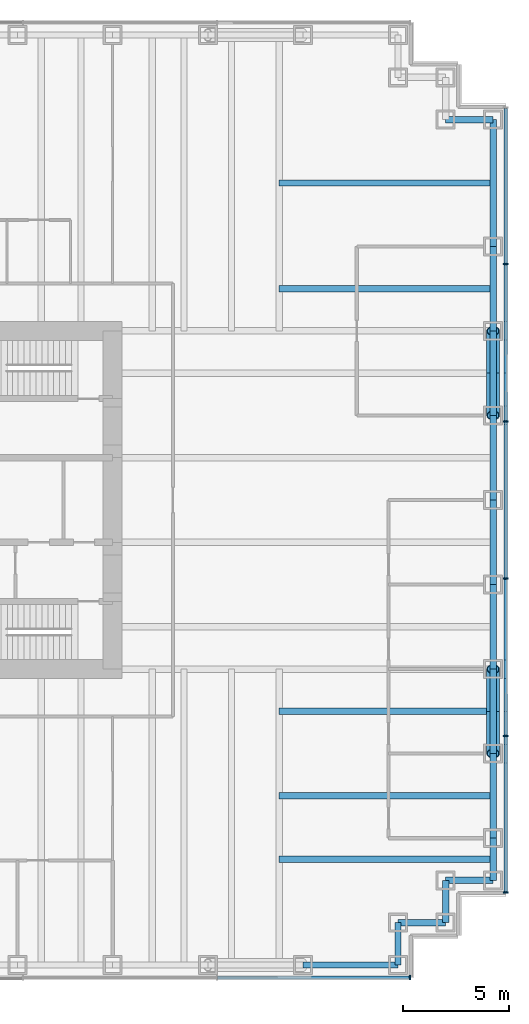
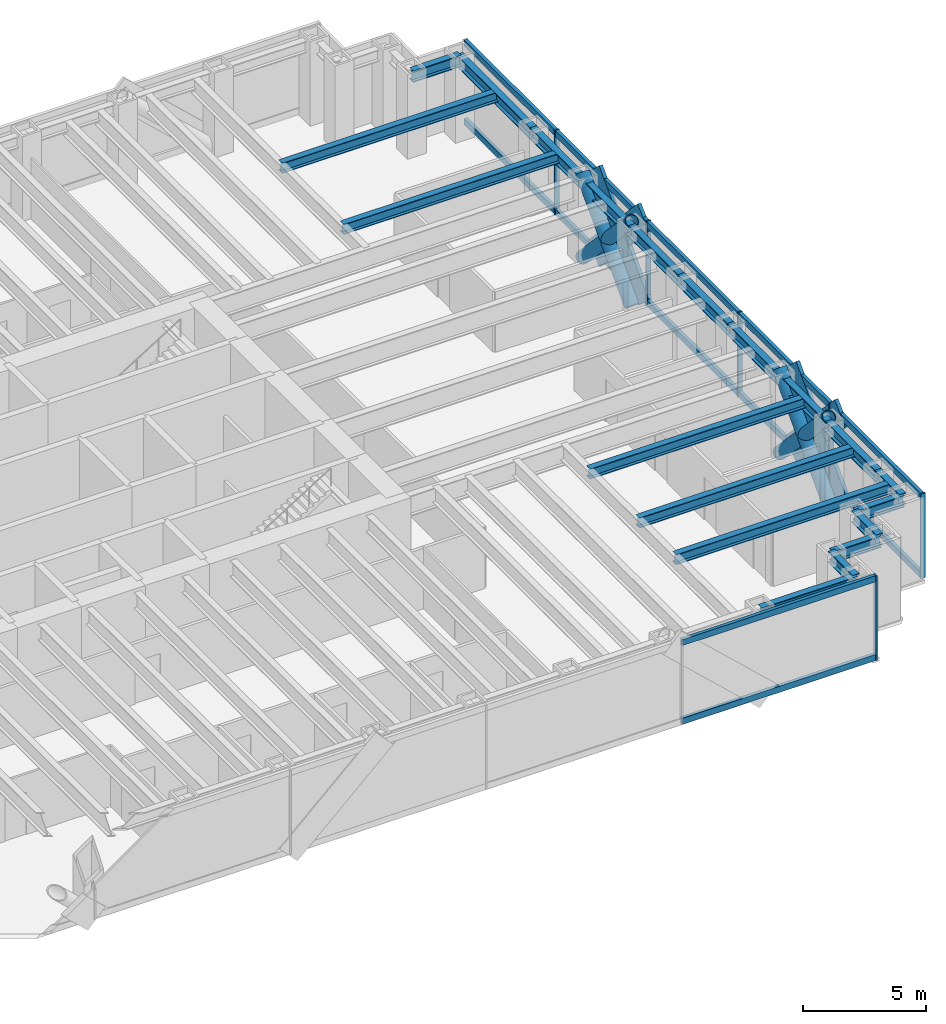
# One storey, part 8 of 17: 26 members, 20 beams, 2 elements without a shape of their own.
"""IFC4 building model written with IfcOpenShell, lengths in metres."""

from ifc_helpers import new_model, si_unit, direction, frame, origin, origin_2d, place, context, subcontext, project, spatial, rectangle, hollow_circle, i_section, extrude, material, material_profile, profile_set, type_object, element, aggregate, save


model = new_model("IFC4")

# Units and contexts
model_context = context("Model", 3, precision=1e-05, world=origin(), true_north=direction((0.0, 1.0)))
body_context = subcontext(model_context, "Body", "Model", "MODEL_VIEW")
ifc_project = project(units=[si_unit("LENGTHUNIT", "METRE"), si_unit("AREAUNIT", "SQUARE_METRE"), si_unit("VOLUMEUNIT", "CUBIC_METRE"), si_unit("PLANEANGLEUNIT", "RADIAN"), si_unit("MASSUNIT", "GRAM", prefix="KILO")], contexts=[model_context])

# Site, building, storey
site_placement = place(None, origin())
site = spatial("IfcSite", under=ifc_project, at=site_placement, CompositionType="ELEMENT")
building_placement = place(site_placement, origin())
building = spatial("IfcBuilding", under=site, at=building_placement, Name="Rheinbord Bourse Tower", CompositionType="ELEMENT")
storey_placement = place(building_placement, frame((0.0, 0.0, 129.89990234375)))
storey = spatial("IfcBuildingStorey", under=building, at=storey_placement, Name="L28", CompositionType="ELEMENT", Elevation=129.89990234375)

# Curtain wall, members
ifc_material_1 = material(Name="Dark glass and black aluminium", Category="aluminium")
curtain_wall_type = type_object("IfcCurtainWallType", Name="CW2 DARK GLASS CURTAIN WALL", PredefinedType="USERDEFINED", material=ifc_material_1)
curtain_wall_1_placement = place(storey_placement, origin())
curtain_wall_1 = element("IfcCurtainWall", 1, at=curtain_wall_1_placement, inside=storey, type_object=curtain_wall_type, Name="Curtain wall CW2 E L28", ObjectType="UNITISED CURTAIN WALL", PredefinedType="USERDEFINED")
ifc_material_2 = material(Name="Black anodised aluminium", Category="aluminium")
ifc_material_profile_1 = material_profile(ifc_material_2, rectangle(XDim=0.159912109375, YDim=1.2099609375, at=origin_2d()), Name="CW2 DIAGONAL MULLION 1210x160")
ifc_profile_set_1 = profile_set([ifc_material_profile_1], Name="Black anodised aluminium")
member_type_1 = type_object("IfcMemberType", Name="CW2 BLACK DIAGONAL MULLION", PredefinedType="USERDEFINED", material=ifc_profile_set_1)
member_1_placement = place(storey_placement, frame((72.60009765625, 32.0, 0.0), z_axis=(0.0, -0.689638355374, 0.72415394689), x_axis=(1.0, 0.0, 0.0)))
member_1 = element("IfcMember", 2, at=member_1_placement, type_object=member_type_1, Name="CW2 diagonal mullion a", ObjectType="DIAGONAL MULLION", PredefinedType="USERDEFINED", context=body_context, shape_type="SweptSolid", body=[
    extrude(rectangle(XDim=0.159912109375, YDim=1.2099609375, at=origin_2d()), origin(), (0.0, 0.0, 1.0), 5.800048828125),
])
member_2_placement = place(storey_placement, frame((72.60009765625, 12.0, 0.0), z_axis=(0.0, 0.689638355374, 0.72415394689), x_axis=(-1.0, 0.0, 0.0)))
member_2 = element("IfcMember", 3, at=member_2_placement, type_object=member_type_1, Name="CW2 diagonal mullion b", ObjectType="DIAGONAL MULLION", PredefinedType="USERDEFINED", context=body_context, shape_type="SweptSolid", body=[
    extrude(rectangle(XDim=0.159912109375, YDim=1.2099609375, at=origin_2d()), origin(), (0.0, 0.0, 1.0), 5.800048828125),
])
member_3_placement = place(storey_placement, frame((72.60009765625, 16.0, 0.0), z_axis=(0.0, -0.689638355374, 0.72415394689), x_axis=(1.0, 0.0, 0.0)))
member_3 = element("IfcMember", 4, at=member_3_placement, type_object=member_type_1, Name="CW2 diagonal mullion c", ObjectType="DIAGONAL MULLION", PredefinedType="USERDEFINED", context=body_context, shape_type="SweptSolid", body=[
    extrude(rectangle(XDim=0.159912109375, YDim=1.2099609375, at=origin_2d()), origin(), (0.0, 0.0, 1.0), 5.800048828125),
])
member_4_placement = place(storey_placement, frame((72.60009765625, 28.0, 0.0), z_axis=(0.0, 0.689638355374, 0.72415394689), x_axis=(-1.0, 0.0, 0.0)))
member_4 = element("IfcMember", 5, at=member_4_placement, type_object=member_type_1, Name="CW2 diagonal mullion d", ObjectType="DIAGONAL MULLION", PredefinedType="USERDEFINED", context=body_context, shape_type="SweptSolid", body=[
    extrude(rectangle(XDim=0.159912109375, YDim=1.2099609375, at=origin_2d()), origin(), (0.0, 0.0, 1.0), 5.800048828125),
])

# Curtain wall, member
curtain_wall_2_placement = place(storey_placement, origin())
curtain_wall_2 = element("IfcCurtainWall", 6, at=curtain_wall_2_placement, inside=storey, type_object=curtain_wall_type, Name="Curtain wall CW2 S L28", ObjectType="UNITISED CURTAIN WALL", PredefinedType="USERDEFINED")
ifc_material_3 = material(Name="Black anodised aluminium", Category="aluminium")
ifc_material_profile_2 = material_profile(ifc_material_3, rectangle(XDim=0.219970703125, YDim=0.070068359375, at=origin_2d()), Name="CW2 MULLION 70x220")
ifc_profile_set_2 = profile_set([ifc_material_profile_2], Name="Black anodised aluminium")
member_type_2 = type_object("IfcMemberType", Name="CW2 BLACK MULLION", PredefinedType="MULLION", material=ifc_profile_set_2)
member_5_placement = place(storey_placement, frame((68.06494140625, 1.39990234375, 0.0), z_axis=(0.0, 0.0, 1.0), x_axis=(0.0, 1.0, 0.0)))
member_5 = element("IfcMember", 7, at=member_5_placement, type_object=member_type_2, Name="CW2 mullion 8", PredefinedType="MULLION", context=body_context, shape_type="SweptSolid", body=[
    extrude(rectangle(XDim=0.219970703125, YDim=0.070068359375, at=origin_2d()), origin(), (0.0, 0.0, 1.0), 4.2001953125),
])

# Member
member_6_placement = place(storey_placement, frame((72.60009765625, 5.43505859375, 0.0), z_axis=(0.0, 0.0, 1.0), x_axis=(-1.0, 0.0, 0.0)))
member_6 = element("IfcMember", 8, at=member_6_placement, type_object=member_type_2, Name="CW2 mullion 1", PredefinedType="MULLION", context=body_context, shape_type="SweptSolid", body=[
    extrude(rectangle(XDim=0.219970703125, YDim=0.070068359375, at=origin_2d()), origin(), (0.0, 0.0, 1.0), 4.2001953125),
])

member_7_placement = place(storey_placement, frame((72.60009765625, 12.840087890625, 0.0), z_axis=(0.0, 0.0, 1.0), x_axis=(-1.0, 0.0, 0.0)))
member_7 = element("IfcMember", 9, at=member_7_placement, type_object=member_type_2, Name="CW2 mullion 2", PredefinedType="MULLION", context=body_context, shape_type="SweptSolid", body=[
    extrude(rectangle(XDim=0.219970703125, YDim=0.070068359375, at=origin_2d()), origin(), (0.0, 0.0, 1.0), 4.2001953125),
])

member_8_placement = place(storey_placement, frame((72.60009765625, 20.280029296875, 0.0), z_axis=(0.0, 0.0, 1.0), x_axis=(-1.0, 0.0, 0.0)))
member_8 = element("IfcMember", 10, at=member_8_placement, type_object=member_type_2, Name="CW2 mullion 3", PredefinedType="MULLION", context=body_context, shape_type="SweptSolid", body=[
    extrude(rectangle(XDim=0.219970703125, YDim=0.070068359375, at=origin_2d()), origin(), (0.0, 0.0, 1.0), 4.2001953125),
])

member_9_placement = place(storey_placement, frame((72.60009765625, 27.719970703125, 0.0), z_axis=(0.0, 0.0, 1.0), x_axis=(-1.0, 0.0, 0.0)))
member_9 = element("IfcMember", 11, at=member_9_placement, type_object=member_type_2, Name="CW2 mullion 4", PredefinedType="MULLION", context=body_context, shape_type="SweptSolid", body=[
    extrude(rectangle(XDim=0.219970703125, YDim=0.070068359375, at=origin_2d()), origin(), (0.0, 0.0, 1.0), 4.2001953125),
])

member_10_placement = place(storey_placement, frame((72.60009765625, 35.159912109375, 0.0), z_axis=(0.0, 0.0, 1.0), x_axis=(-1.0, 0.0, 0.0)))
member_10 = element("IfcMember", 12, at=member_10_placement, type_object=member_type_2, Name="CW2 mullion 5", PredefinedType="MULLION", context=body_context, shape_type="SweptSolid", body=[
    extrude(rectangle(XDim=0.219970703125, YDim=0.070068359375, at=origin_2d()), origin(), (0.0, 0.0, 1.0), 4.2001953125),
])

ifc_material_4 = material(Name="Black anodised aluminium", Category="aluminium")
ifc_material_profile_3 = material_profile(ifc_material_4, rectangle(XDim=0.159912109375, YDim=0.300048828125, at=origin_2d()), Name="CW2 TRANSOM 300x160")
ifc_profile_set_3 = profile_set([ifc_material_profile_3], Name="Black anodised aluminium")
member_type_3 = type_object("IfcMemberType", Name="CW2 BLACK TRANSOM", PredefinedType="USERDEFINED", material=ifc_profile_set_3)
member_11_placement = place(storey_placement, frame((58.963623046875, 1.39990234375, 0.150146484375), z_axis=(1.0, 0.0, 0.0), x_axis=(0.0, 1.0, 0.0)))
member_11 = element("IfcMember", 13, at=member_11_placement, type_object=member_type_3, Name="CW2 transom 7.1", ObjectType="TRANSOM", PredefinedType="USERDEFINED", context=body_context, shape_type="SweptSolid", body=[
    extrude(rectangle(XDim=0.159912109375, YDim=0.300048828125, at=origin_2d()), origin(), (0.0, 0.0, 1.0), 9.06640625),
])

member_12_placement = place(storey_placement, frame((58.963623046875, 1.39990234375, 4.050048828125), z_axis=(1.0, 0.0, 0.0), x_axis=(0.0, 1.0, 0.0)))
member_12 = element("IfcMember", 14, at=member_12_placement, type_object=member_type_3, Name="CW2 transom 7.2", ObjectType="TRANSOM", PredefinedType="USERDEFINED", context=body_context, shape_type="SweptSolid", body=[
    extrude(rectangle(XDim=0.159912109375, YDim=0.300048828125, at=origin_2d()), origin(), (0.0, 0.0, 1.0), 9.06640625),
])

aggregate(curtain_wall_2, [member_5, member_11, member_12])

member_13_placement = place(storey_placement, frame((72.60009765625, 5.469970703125, 0.150146484375), z_axis=(0.0, 1.0, 0.0), x_axis=(-1.0, 0.0, 0.0)))
member_13 = element("IfcMember", 15, at=member_13_placement, type_object=member_type_3, Name="CW2 transom 1.1", ObjectType="TRANSOM", PredefinedType="USERDEFINED", context=body_context, shape_type="SweptSolid", body=[
    extrude(rectangle(XDim=0.159912109375, YDim=0.300048828125, at=origin_2d()), origin(), (0.0, 0.0, 1.0), 7.3349609375),
])

member_14_placement = place(storey_placement, frame((72.60009765625, 5.469970703125, 4.050048828125), z_axis=(0.0, 1.0, 0.0), x_axis=(-1.0, 0.0, 0.0)))
member_14 = element("IfcMember", 16, at=member_14_placement, type_object=member_type_3, Name="CW2 transom 1.2", ObjectType="TRANSOM", PredefinedType="USERDEFINED", context=body_context, shape_type="SweptSolid", body=[
    extrude(rectangle(XDim=0.159912109375, YDim=0.300048828125, at=origin_2d()), origin(), (0.0, 0.0, 1.0), 7.3349609375),
])

member_15_placement = place(storey_placement, frame((72.60009765625, 12.875, 0.150146484375), z_axis=(0.0, 1.0, 0.0), x_axis=(-1.0, 0.0, 0.0)))
member_15 = element("IfcMember", 17, at=member_15_placement, type_object=member_type_3, Name="CW2 transom 2.1", ObjectType="TRANSOM", PredefinedType="USERDEFINED", context=body_context, shape_type="SweptSolid", body=[
    extrude(rectangle(XDim=0.159912109375, YDim=0.300048828125, at=origin_2d()), origin(), (0.0, 0.0, 1.0), 7.3701171875),
])

member_16_placement = place(storey_placement, frame((72.60009765625, 12.875, 4.050048828125), z_axis=(0.0, 1.0, 0.0), x_axis=(-1.0, 0.0, 0.0)))
member_16 = element("IfcMember", 18, at=member_16_placement, type_object=member_type_3, Name="CW2 transom 2.2", ObjectType="TRANSOM", PredefinedType="USERDEFINED", context=body_context, shape_type="SweptSolid", body=[
    extrude(rectangle(XDim=0.159912109375, YDim=0.300048828125, at=origin_2d()), origin(), (0.0, 0.0, 1.0), 7.3701171875),
])

member_17_placement = place(storey_placement, frame((72.60009765625, 20.31494140625, 0.150146484375), z_axis=(0.0, 1.0, 0.0), x_axis=(-1.0, 0.0, 0.0)))
member_17 = element("IfcMember", 19, at=member_17_placement, type_object=member_type_3, Name="CW2 transom 3.1", ObjectType="TRANSOM", PredefinedType="USERDEFINED", context=body_context, shape_type="SweptSolid", body=[
    extrude(rectangle(XDim=0.159912109375, YDim=0.300048828125, at=origin_2d()), origin(), (0.0, 0.0, 1.0), 7.3701171875),
])

member_18_placement = place(storey_placement, frame((72.60009765625, 20.31494140625, 4.050048828125), z_axis=(0.0, 1.0, 0.0), x_axis=(-1.0, 0.0, 0.0)))
member_18 = element("IfcMember", 20, at=member_18_placement, type_object=member_type_3, Name="CW2 transom 3.2", ObjectType="TRANSOM", PredefinedType="USERDEFINED", context=body_context, shape_type="SweptSolid", body=[
    extrude(rectangle(XDim=0.159912109375, YDim=0.300048828125, at=origin_2d()), origin(), (0.0, 0.0, 1.0), 7.3701171875),
])

member_19_placement = place(storey_placement, frame((72.60009765625, 27.7548828125, 0.150146484375), z_axis=(0.0, 1.0, 0.0), x_axis=(-1.0, 0.0, 0.0)))
member_19 = element("IfcMember", 21, at=member_19_placement, type_object=member_type_3, Name="CW2 transom 4.1", ObjectType="TRANSOM", PredefinedType="USERDEFINED", context=body_context, shape_type="SweptSolid", body=[
    extrude(rectangle(XDim=0.159912109375, YDim=0.300048828125, at=origin_2d()), origin(), (0.0, 0.0, 1.0), 7.3701171875),
])

member_20_placement = place(storey_placement, frame((72.60009765625, 27.7548828125, 4.050048828125), z_axis=(0.0, 1.0, 0.0), x_axis=(-1.0, 0.0, 0.0)))
member_20 = element("IfcMember", 22, at=member_20_placement, type_object=member_type_3, Name="CW2 transom 4.2", ObjectType="TRANSOM", PredefinedType="USERDEFINED", context=body_context, shape_type="SweptSolid", body=[
    extrude(rectangle(XDim=0.159912109375, YDim=0.300048828125, at=origin_2d()), origin(), (0.0, 0.0, 1.0), 7.3701171875),
])

member_21_placement = place(storey_placement, frame((72.60009765625, 35.195068359375, 0.150146484375), z_axis=(0.0, 1.0, 0.0), x_axis=(-1.0, 0.0, 0.0)))
member_21 = element("IfcMember", 23, at=member_21_placement, type_object=member_type_3, Name="CW2 transom 5.1", ObjectType="TRANSOM", PredefinedType="USERDEFINED", context=body_context, shape_type="SweptSolid", body=[
    extrude(rectangle(XDim=0.159912109375, YDim=0.300048828125, at=origin_2d()), origin(), (0.0, 0.0, 1.0), 7.3349609375),
])

member_22_placement = place(storey_placement, frame((72.60009765625, 35.195068359375, 4.050048828125), z_axis=(0.0, 1.0, 0.0), x_axis=(-1.0, 0.0, 0.0)))
member_22 = element("IfcMember", 24, at=member_22_placement, type_object=member_type_3, Name="CW2 transom 5.2", ObjectType="TRANSOM", PredefinedType="USERDEFINED", context=body_context, shape_type="SweptSolid", body=[
    extrude(rectangle(XDim=0.159912109375, YDim=0.300048828125, at=origin_2d()), origin(), (0.0, 0.0, 1.0), 7.3349609375),
])

aggregate(curtain_wall_1, [member_6, member_7, member_8, member_9, member_10, member_13, member_14, member_15, member_16, member_17, member_18, member_19, member_20, member_21, member_22, member_1, member_2, member_3, member_4])

# Members
ifc_material_5 = material(Name="Steel S460", Category="steel")
ifc_material_profile_4 = material_profile(ifc_material_5, hollow_circle(Radius=0.304931640625, WallThickness=0.0400390625, at=origin_2d()), Name="CHS 610x40")
ifc_profile_set_4 = profile_set([ifc_material_profile_4], Name="Steel S460")
member_type_4 = type_object("IfcMemberType", Name="MEGABRACE CHS 610x40", PredefinedType="BRACE", material=ifc_profile_set_4)
for number, where, z_axis, x_axis, name in (
    (25, (72.0, 32.0, 0.0), (0.0, -0.689638355374, 0.72415394689), (1.0, 0.0, 0.0), "Megabrace E face line a L28"),
    (26, (72.0, 12.0, 0.0), (0.0, 0.689638355374, 0.72415394689), (-1.0, 0.0, 0.0), "Megabrace E face line b L28"),
    (27, (72.0, 16.0, 0.0), (0.0, -0.689638355374, 0.72415394689), (1.0, 0.0, 0.0), "Megabrace E face line c L28"),
    (28, (72.0, 28.0, 0.0), (0.0, 0.689638355374, 0.72415394689), (-1.0, 0.0, 0.0), "Megabrace E face line d L28"),
):
    element("IfcMember", number, at=place(storey_placement, frame(where, z_axis=z_axis, x_axis=x_axis)), inside=storey, type_object=member_type_4, Name=name, PredefinedType="BRACE", context=body_context, shape_type="SweptSolid", body=[
        extrude(hollow_circle(Radius=0.304931640625, WallThickness=0.0400390625, at=origin_2d()), origin(), (0.0, 0.0, 1.0), 5.800048828125),
    ])

# Beams
ifc_material_6 = material(Name="Steel S460", Category="steel")
ifc_material_profile_5 = material_profile(ifc_material_6, i_section(OverallWidth=0.305908203125, OverallDepth=0.572021484375, WebThickness=0.02099609375, FlangeThickness=0.0400390625, at=origin_2d()), Name="HEM 550")
ifc_profile_set_5 = profile_set([ifc_material_profile_5], Name="Steel S460")
beam_type_1 = type_object("IfcBeamType", Name="SPANDREL HEM 550", PredefinedType="SPANDREL", material=ifc_profile_set_5)
beam_1_placement = place(storey_placement, frame((63.0, 2.0, 3.754150390625), z_axis=(1.0, 0.0, 0.0), x_axis=(0.0, 1.0, 0.0)))
element("IfcBeam", 29, at=beam_1_placement, inside=storey, type_object=beam_type_1, Name="Spandrel S-63-SE-E under L29", PredefinedType="SPANDREL", context=body_context, shape_type="SweptSolid", body=[
    extrude(i_section(OverallWidth=0.305908203125, OverallDepth=0.572021484375, WebThickness=0.02099609375, FlangeThickness=0.0400390625, at=origin_2d()), origin(), (0.0, 0.0, 1.0), 4.5),
])
beam_2_placement = place(storey_placement, frame((67.5, 2.0, 3.754150390625), z_axis=(0.0, 1.0, 0.0), x_axis=(-1.0, 0.0, 0.0)))
element("IfcBeam", 30, at=beam_2_placement, inside=storey, type_object=beam_type_1, Name="Spandrel SE-E-SE-D under L29", PredefinedType="SPANDREL", context=body_context, shape_type="SweptSolid", body=[
    extrude(i_section(OverallWidth=0.305908203125, OverallDepth=0.572021484375, WebThickness=0.02099609375, FlangeThickness=0.0400390625, at=origin_2d()), origin(), (0.0, 0.0, 1.0), 2.0),
])
beam_3_placement = place(storey_placement, frame((67.5, 4.0, 3.754150390625), z_axis=(1.0, 0.0, 0.0), x_axis=(0.0, 1.0, 0.0)))
element("IfcBeam", 31, at=beam_3_placement, inside=storey, type_object=beam_type_1, Name="Spandrel SE-D-SE-C under L29", PredefinedType="SPANDREL", context=body_context, shape_type="SweptSolid", body=[
    extrude(i_section(OverallWidth=0.305908203125, OverallDepth=0.572021484375, WebThickness=0.02099609375, FlangeThickness=0.0400390625, at=origin_2d()), origin(), (0.0, 0.0, 1.0), 2.25),
])
beam_4_placement = place(storey_placement, frame((69.75, 4.0, 3.754150390625), z_axis=(0.0, 1.0, 0.0), x_axis=(-1.0, 0.0, 0.0)))
element("IfcBeam", 32, at=beam_4_placement, inside=storey, type_object=beam_type_1, Name="Spandrel SE-C-SE-B under L29", PredefinedType="SPANDREL", context=body_context, shape_type="SweptSolid", body=[
    extrude(i_section(OverallWidth=0.305908203125, OverallDepth=0.572021484375, WebThickness=0.02099609375, FlangeThickness=0.0400390625, at=origin_2d()), origin(), (0.0, 0.0, 1.0), 2.0),
])
beam_5_placement = place(storey_placement, frame((69.75, 6.0, 3.754150390625), z_axis=(1.0, 0.0, 0.0), x_axis=(0.0, 1.0, 0.0)))
element("IfcBeam", 33, at=beam_5_placement, inside=storey, type_object=beam_type_1, Name="Spandrel SE-B-SE-A under L29", PredefinedType="SPANDREL", context=body_context, shape_type="SweptSolid", body=[
    extrude(i_section(OverallWidth=0.305908203125, OverallDepth=0.572021484375, WebThickness=0.02099609375, FlangeThickness=0.0400390625, at=origin_2d()), origin(), (0.0, 0.0, 1.0), 2.25),
])
beam_6_placement = place(storey_placement, frame((72.0, 6.0, 3.754150390625), z_axis=(0.0, 1.0, 0.0), x_axis=(-1.0, 0.0, 0.0)))
element("IfcBeam", 34, at=beam_6_placement, inside=storey, type_object=beam_type_1, Name="Spandrel SE-A-E-8 under L29", PredefinedType="SPANDREL", context=body_context, shape_type="SweptSolid", body=[
    extrude(i_section(OverallWidth=0.305908203125, OverallDepth=0.572021484375, WebThickness=0.02099609375, FlangeThickness=0.0400390625, at=origin_2d()), origin(), (0.0, 0.0, 1.0), 2.0),
])
for number, where, z_axis, x_axis, name in (
    (35, (72.0, 8.0, 3.754150390625), (0.0, 1.0, 0.0), (-1.0, 0.0, 0.0), "Spandrel E-8-E-12 under L29"),
    (36, (72.0, 12.0, 3.754150390625), (0.0, 1.0, 0.0), (-1.0, 0.0, 0.0), "Spandrel E-12-E-16 under L29"),
    (37, (72.0, 16.0, 3.754150390625), (0.0, 1.0, 0.0), (-1.0, 0.0, 0.0), "Spandrel E-16-E-20 under L29"),
    (38, (72.0, 20.0, 3.754150390625), (0.0, 1.0, 0.0), (-1.0, 0.0, 0.0), "Spandrel E-20-E-24 under L29"),
    (39, (72.0, 24.0, 3.754150390625), (0.0, 1.0, 0.0), (-1.0, 0.0, 0.0), "Spandrel E-24-E-28 under L29"),
    (40, (72.0, 28.0, 3.754150390625), (0.0, 1.0, 0.0), (-1.0, 0.0, 0.0), "Spandrel E-28-E-32 under L29"),
    (41, (72.0, 32.0, 3.754150390625), (0.0, 1.0, 0.0), (-1.0, 0.0, 0.0), "Spandrel E-32-E-36 under L29"),
):
    element("IfcBeam", number, at=place(storey_placement, frame(where, z_axis=z_axis, x_axis=x_axis)), inside=storey, type_object=beam_type_1, Name=name, PredefinedType="SPANDREL", context=body_context, shape_type="SweptSolid", body=[
        extrude(i_section(OverallWidth=0.305908203125, OverallDepth=0.572021484375, WebThickness=0.02099609375, FlangeThickness=0.0400390625, at=origin_2d()), origin(), (0.0, 0.0, 1.0), 4.0),
    ])
beam_7_placement = place(storey_placement, frame((72.0, 36.0, 3.754150390625), z_axis=(0.0, 1.0, 0.0), x_axis=(-1.0, 0.0, 0.0)))
element("IfcBeam", 42, at=beam_7_placement, inside=storey, type_object=beam_type_1, Name="Spandrel E-36-NE-A under L29", PredefinedType="SPANDREL", context=body_context, shape_type="SweptSolid", body=[
    extrude(i_section(OverallWidth=0.305908203125, OverallDepth=0.572021484375, WebThickness=0.02099609375, FlangeThickness=0.0400390625, at=origin_2d()), origin(), (0.0, 0.0, 1.0), 6.0),
])
beam_8_placement = place(storey_placement, frame((72.0, 42.0, 3.754150390625), z_axis=(-1.0, 0.0, 0.0), x_axis=(0.0, -1.0, 0.0)))
element("IfcBeam", 43, at=beam_8_placement, inside=storey, type_object=beam_type_1, Name="Spandrel NE-A-NE-B under L29", PredefinedType="SPANDREL", context=body_context, shape_type="SweptSolid", body=[
    extrude(i_section(OverallWidth=0.305908203125, OverallDepth=0.572021484375, WebThickness=0.02099609375, FlangeThickness=0.0400390625, at=origin_2d()), origin(), (0.0, 0.0, 1.0), 2.25),
])
ifc_material_7 = material(Name="Steel S460", Category="steel")
ifc_material_profile_6 = material_profile(ifc_material_7, i_section(OverallWidth=0.300048828125, OverallDepth=0.5, WebThickness=0.014404296875, FlangeThickness=0.028076171875, at=origin_2d()), Name="HEB 500")
ifc_profile_set_6 = profile_set([ifc_material_profile_6], Name="Steel S460")
beam_type_2 = type_object("IfcBeamType", Name="TIE BEAM HEB 500", PredefinedType="JOIST", material=ifc_profile_set_6)
for number, where, z_axis, x_axis, name in (
    (44, (61.875, 7.0, 3.7900390625), (1.0, 0.0, 0.0), (0.0, 1.0, 0.0), "Tie east 7 L29"),
    (45, (61.875, 10.0, 3.7900390625), (1.0, 0.0, 0.0), (0.0, 1.0, 0.0), "Tie east 10 L29"),
    (46, (61.875, 14.0, 3.7900390625), (1.0, 0.0, 0.0), (0.0, 1.0, 0.0), "Tie east 14 L29"),
    (47, (61.875, 34.0, 3.7900390625), (1.0, 0.0, 0.0), (0.0, 1.0, 0.0), "Tie east 34 L29"),
    (48, (61.875, 39.0, 3.7900390625), (1.0, 0.0, 0.0), (0.0, 1.0, 0.0), "Tie east 39 L29"),
):
    element("IfcBeam", number, at=place(storey_placement, frame(where, z_axis=z_axis, x_axis=x_axis)), inside=storey, type_object=beam_type_2, Name=name, PredefinedType="JOIST", context=body_context, shape_type="SweptSolid", body=[
        extrude(i_section(OverallWidth=0.300048828125, OverallDepth=0.5, WebThickness=0.014404296875, FlangeThickness=0.028076171875, at=origin_2d()), origin(), (0.0, 0.0, 1.0), 10.125),
    ])

save(model, "model.ifc")
